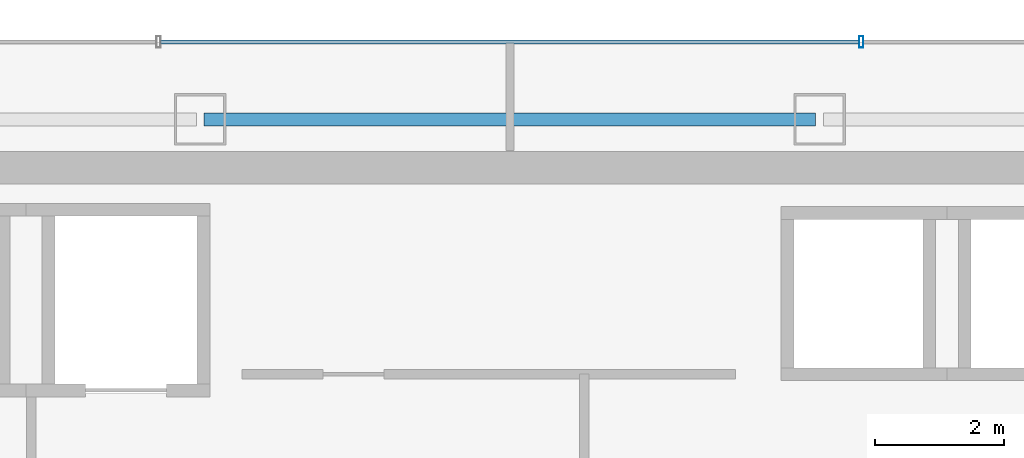
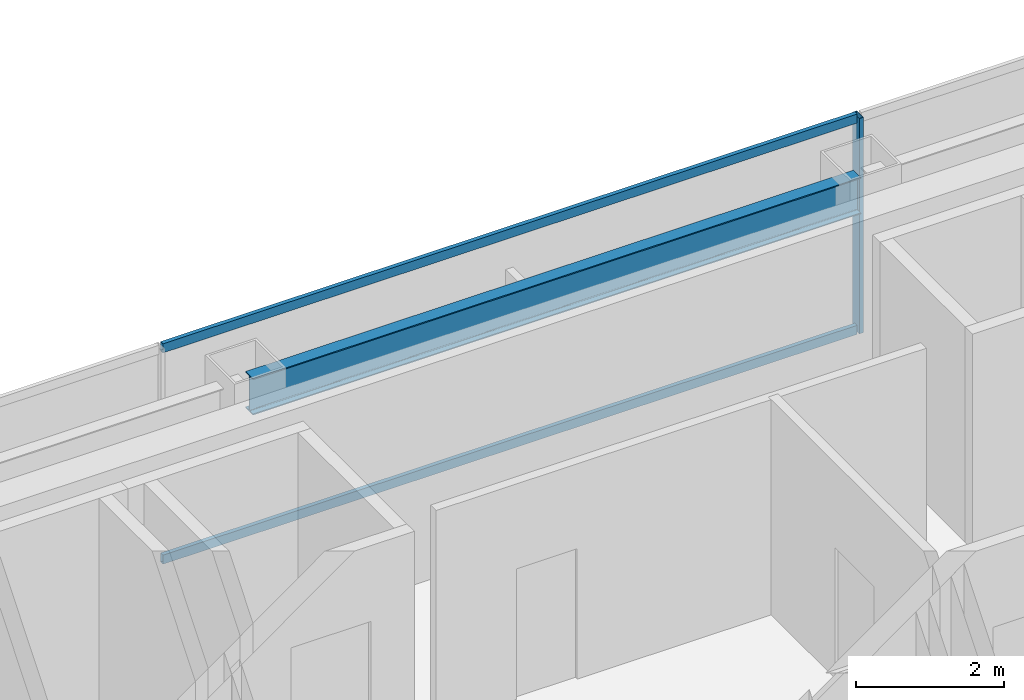
# One storey, part 25 of 36: 3 members, 1 beam, 1 element without a shape of its own.
"""IFC4 building model written with IfcOpenShell, lengths in metres."""

from ifc_helpers import new_model, si_unit, direction, frame, origin, origin_2d, place, context, subcontext, project, spatial, hollow_rectangle, i_section, extrude, material, material_profile, profile_set, type_object, element, aggregate, save


model = new_model("IFC4")

# Units and contexts
model_context = context("Model", 3, precision=1e-05, world=origin(), true_north=direction((0.0, 1.0)))
body_context = subcontext(model_context, "Body", "Model", "MODEL_VIEW")
ifc_project = project(units=[si_unit("LENGTHUNIT", "METRE"), si_unit("AREAUNIT", "SQUARE_METRE"), si_unit("VOLUMEUNIT", "CUBIC_METRE"), si_unit("PLANEANGLEUNIT", "RADIAN"), si_unit("MASSUNIT", "GRAM", prefix="KILO")], contexts=[model_context])

# Site, building, storey
site_placement = place(None, origin())
site = spatial("IfcSite", under=ifc_project, at=site_placement, CompositionType="ELEMENT")
building_placement = place(site_placement, origin())
building = spatial("IfcBuilding", under=site, at=building_placement, Name="Saevonmaru Cultural Tower", CompositionType="ELEMENT")
storey_placement = place(building_placement, frame((0.0, 0.0, 205.60009765625)))
storey = spatial("IfcBuildingStorey", under=building, at=storey_placement, Name="L47", CompositionType="ELEMENT", Elevation=205.60009765625)

# Beam
ifc_material_1 = material(Name="Steel SM355", Category="steel")
ifc_material_profile_1 = material_profile(ifc_material_1, i_section(OverallWidth=0.199951171875, OverallDepth=0.60009765625, WebThickness=0.010986328125, FlangeThickness=0.01708984375, FilletRadius=0.02197265625, at=origin_2d()), Name="H-600x200x11x17")
ifc_profile_set_1 = profile_set([ifc_material_profile_1], Name="Steel SM355")
beam_type = type_object("IfcBeamType", Name="BM-SP-H600", PredefinedType="SPANDREL", material=ifc_profile_set_1)
beam_placement = place(storey_placement, frame((25.260009765625, 54.800048828125, 3.25), z_axis=(1.0, 0.0, 0.0), x_axis=(0.0, 1.0, 0.0)))
element("IfcBeam", 1, at=beam_placement, inside=storey, type_object=beam_type, Name="L47 North Spine Girder 3", PredefinedType="SPANDREL", context=body_context, shape_type="SweptSolid", body=[
    extrude(i_section(OverallWidth=0.199951171875, OverallDepth=0.60009765625, WebThickness=0.010986328125, FlangeThickness=0.01708984375, FilletRadius=0.02197265625, at=origin_2d()), origin(), (0.0, 0.0, 1.0), 9.47998046875),
])

# Curtain wall, members
ifc_material_2 = material(Name="Satin Bronze Anodised Aluminium", Category="aluminium")
curtain_wall_type = type_object("IfcCurtainWallType", Name="CW-TYP-B", PredefinedType="NOTDEFINED", material=ifc_material_2)
curtain_wall_placement = place(storey_placement, origin())
curtain_wall = element("IfcCurtainWall", 2, at=curtain_wall_placement, inside=storey, type_object=curtain_wall_type, Name="L47 North Spine Unitised Curtain Wall E10B", PredefinedType="NOTDEFINED")
ifc_material_profile_2 = material_profile(ifc_material_2, hollow_rectangle(XDim=0.06494140625, YDim=0.179931640625, WallThickness=0.00390625, at=origin_2d()), Name="ALU-MULL-180x65x4")
ifc_profile_set_2 = profile_set([ifc_material_profile_2], Name="Satin Bronze Anodised Aluminium")
member_type_1 = type_object("IfcMemberType", Name="ML-CW-180x65", PredefinedType="MULLION", material=ifc_profile_set_2)
member_1_placement = place(storey_placement, frame((35.44677734375, 56.0, 0.0), z_axis=(0.0, 0.0, 1.0), x_axis=(-1.0, 0.0, 0.0)))
member_1 = element("IfcMember", 3, at=member_1_placement, type_object=member_type_1, Name="CW-TW-L47-E10B mullion 2", PredefinedType="MULLION", context=body_context, shape_type="SweptSolid", body=[
    extrude(hollow_rectangle(XDim=0.06494140625, YDim=0.179931640625, WallThickness=0.00390625, at=origin_2d()), origin(), (0.0, 0.0, 1.0), 3.5498046875),
])
ifc_material_profile_3 = material_profile(ifc_material_2, hollow_rectangle(XDim=0.06494140625, YDim=0.14990234375, WallThickness=0.00390625, at=origin_2d()), Name="ALU-TRAN-150x65x4")
ifc_profile_set_3 = profile_set([ifc_material_profile_3], Name="Satin Bronze Anodised Aluminium")
member_type_2 = type_object("IfcMemberType", Name="TR-CW-150x65", PredefinedType="USERDEFINED", material=ifc_profile_set_3)
member_2_placement = place(storey_placement, frame((35.4140625, 56.0, 0.032470703125), z_axis=(-1.0, 0.0, 0.0), x_axis=(0.0, -1.0, 0.0)))
member_2 = element("IfcMember", 4, at=member_2_placement, type_object=member_type_2, Name="CW-TW-L47-E10B transom 2.1", ObjectType="TRANSOM", PredefinedType="USERDEFINED", context=body_context, shape_type="SweptSolid", body=[
    extrude(hollow_rectangle(XDim=0.06494140625, YDim=0.14990234375, WallThickness=0.00390625, at=origin_2d()), origin(), (0.0, 0.0, 1.0), 10.828125),
])
member_3_placement = place(storey_placement, frame((35.4140625, 56.0, 3.517333984375), z_axis=(-1.0, 0.0, 0.0), x_axis=(0.0, -1.0, 0.0)))
member_3 = element("IfcMember", 5, at=member_3_placement, type_object=member_type_2, Name="CW-TW-L47-E10B transom 2.2", ObjectType="TRANSOM", PredefinedType="USERDEFINED", context=body_context, shape_type="SweptSolid", body=[
    extrude(hollow_rectangle(XDim=0.06494140625, YDim=0.14990234375, WallThickness=0.00390625, at=origin_2d()), origin(), (0.0, 0.0, 1.0), 10.828125),
])
aggregate(curtain_wall, [member_1, member_2, member_3])

save(model, "model.ifc")
